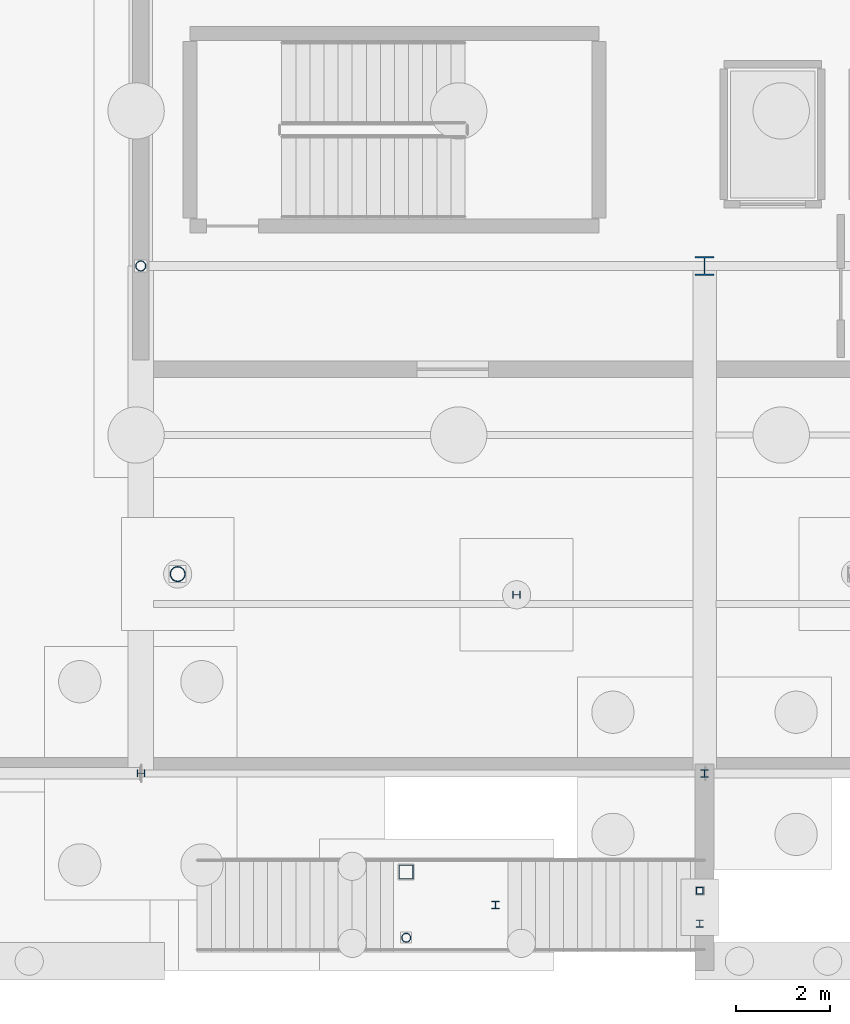
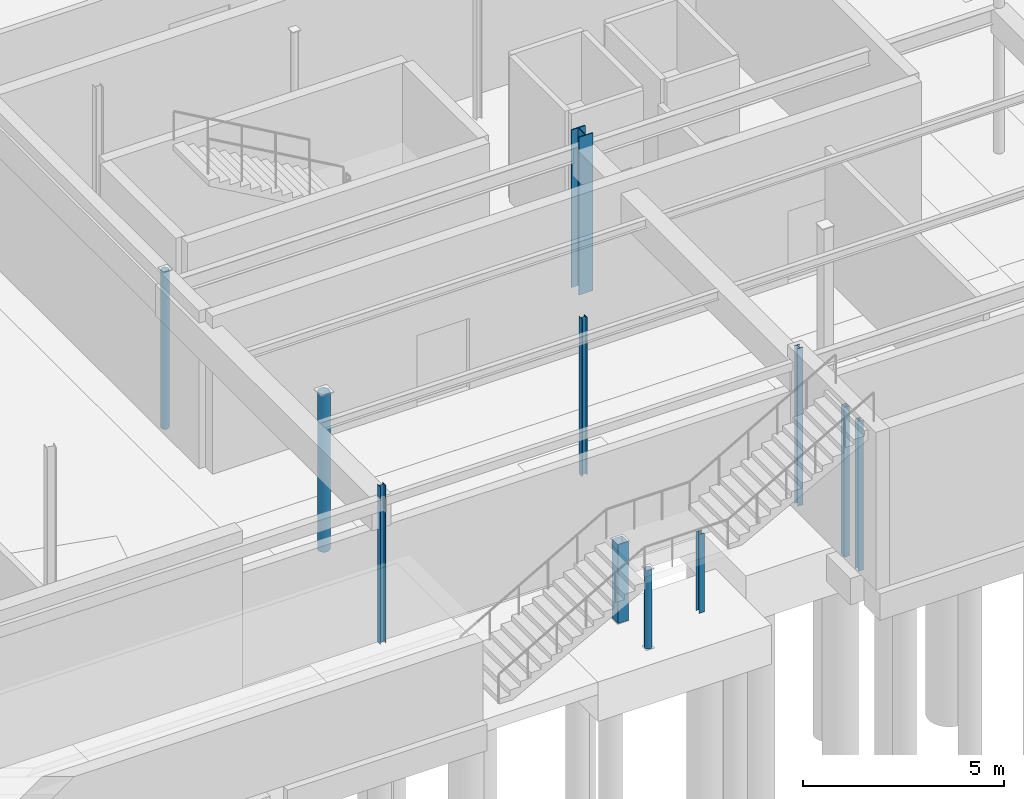
# One storey, part 21 of 136: 11 columns.
"""IFC4 building model written with IfcOpenShell, lengths in metres."""

from ifc_helpers import new_model, si_unit, direction, frame, origin, origin_2d, place, context, subcontext, project, spatial, hollow_rectangle, hollow_circle, i_section, extrude, material, material_profile, profile_set, type_object, element, save


model = new_model("IFC4")

# Units and contexts
model_context = context("Model", 3, precision=1e-05, world=origin(), true_north=direction((0.0, 1.0)))
body_context = subcontext(model_context, "Body", "Model", "MODEL_VIEW")
ifc_project = project(units=[si_unit("LENGTHUNIT", "METRE"), si_unit("AREAUNIT", "SQUARE_METRE"), si_unit("VOLUMEUNIT", "CUBIC_METRE"), si_unit("PLANEANGLEUNIT", "RADIAN"), si_unit("MASSUNIT", "GRAM", prefix="KILO")], contexts=[model_context])

# Site, building, storey
site_placement = place(None, origin())
site = spatial("IfcSite", under=ifc_project, at=site_placement, CompositionType="ELEMENT")
building_placement = place(site_placement, origin())
building = spatial("IfcBuilding", under=site, at=building_placement, Name="Tarnwether General Hospital", CompositionType="ELEMENT")
storey_placement = place(building_placement, frame((0.0, 0.0, -4.800048828125)))
storey = spatial("IfcBuildingStorey", under=building, at=storey_placement, Name="LG", CompositionType="ELEMENT", Elevation=-4.800048828125)

# Columns
ifc_material_1 = material(Name="Steel Grade 350 (350 MPa)", Category="steel")
ifc_material_profile_1 = material_profile(ifc_material_1, i_section(OverallWidth=0.39990234375, OverallDepth=0.39990234375, WebThickness=0.02001953125, FlangeThickness=0.028076171875, at=origin_2d()), Name="400WC270")
ifc_profile_set_1 = profile_set([ifc_material_profile_1], Name="Steel Grade 350 (350 MPa)")
column_type_1 = type_object("IfcColumnType", Name="COL-02", PredefinedType="COLUMN", material=ifc_profile_set_1)
column_1_placement = place(storey_placement, frame((96.0, 10.800048828125, 0.0), z_axis=(0.0, 0.0, 1.0), x_axis=(1.0, 0.0, 0.0)))
element("IfcColumn", 1, at=column_1_placement, inside=storey, type_object=column_type_1, Name="Column COLG-LG-9600_1080", PredefinedType="COLUMN", context=body_context, shape_type="SweptSolid", body=[
    extrude(i_section(OverallWidth=0.39990234375, OverallDepth=0.39990234375, WebThickness=0.02001953125, FlangeThickness=0.028076171875, at=origin_2d()), origin(), (0.0, 0.0, 1.0), 4.800048828125),
])
ifc_material_2 = material(Name="Steel Grade C350L0 (350 MPa)", Category="steel")
ifc_material_profile_2 = material_profile(ifc_material_2, hollow_circle(Radius=0.109619140625, WallThickness=0.010009765625, at=origin_2d()), Name="CHS219.1x10.0")
ifc_profile_set_2 = profile_set([ifc_material_profile_2], Name="Steel Grade C350L0 (350 MPa)")
column_type_2 = type_object("IfcColumnType", Name="COL-13", PredefinedType="COLUMN", material=ifc_profile_set_2)
column_2_placement = place(storey_placement, frame((84.0, 10.800048828125, 0.0), z_axis=(0.0, 0.0, 1.0), x_axis=(0.0, 1.0, 0.0)))
element("IfcColumn", 2, at=column_2_placement, inside=storey, type_object=column_type_2, Name="Column COLG-LG-8400_1080", PredefinedType="COLUMN", context=body_context, shape_type="SweptSolid", body=[
    extrude(hollow_circle(Radius=0.109619140625, WallThickness=0.010009765625, at=origin_2d()), origin(), (0.0, 0.0, 1.0), 4.800048828125),
])
ifc_material_3 = material(Name="Steel Grade C350L0 (350 MPa)", Category="steel")
ifc_material_profile_3 = material_profile(ifc_material_3, hollow_circle(Radius=0.161865234375, WallThickness=0.0126953125, at=origin_2d()), Name="CHS323.9x12.7")
ifc_profile_set_3 = profile_set([ifc_material_profile_3], Name="Steel Grade C350L0 (350 MPa)")
column_type_3 = type_object("IfcColumnType", Name="COL-26", PredefinedType="COLUMN", material=ifc_profile_set_3)
column_3_placement = place(storey_placement, frame((84.784912109375, 4.240966796875, 0.0), z_axis=(0.0, 0.0, 1.0), x_axis=(0.121869343405, 0.992546151641, 0.0)))
element("IfcColumn", 3, at=column_3_placement, inside=storey, type_object=column_type_3, Name="Column COLG-LG-8478_424", PredefinedType="COLUMN", context=body_context, shape_type="SweptSolid", body=[
    extrude(hollow_circle(Radius=0.161865234375, WallThickness=0.0126953125, at=origin_2d()), origin(), (0.0, 0.0, 1.0), 4.800048828125),
])
ifc_material_4 = material(Name="Steel Grade 350 (350 MPa)", Category="steel")
ifc_material_profile_4 = material_profile(ifc_material_4, i_section(OverallWidth=0.154052734375, OverallDepth=0.162109375, WebThickness=0.008056640625, FlangeThickness=0.011474609375, at=origin_2d()), Name="150UC37.2")
ifc_profile_set_4 = profile_set([ifc_material_profile_4], Name="Steel Grade 350 (350 MPa)")
column_type_4 = type_object("IfcColumnType", Name="COL-28", PredefinedType="COLUMN", material=ifc_profile_set_4)
column_4_placement = place(storey_placement, frame((92.0, 3.800048828125, 0.0), z_axis=(0.0, 0.0, 1.0), x_axis=(0.0, 1.0, 0.0)))
element("IfcColumn", 4, at=column_4_placement, inside=storey, type_object=column_type_4, Name="Column COLG-LG-9200_380", PredefinedType="COLUMN", context=body_context, shape_type="SweptSolid", body=[
    extrude(i_section(OverallWidth=0.154052734375, OverallDepth=0.162109375, WebThickness=0.008056640625, FlangeThickness=0.011474609375, at=origin_2d()), origin(), (0.0, 0.0, 1.0), 4.800048828125),
])
ifc_material_5 = material(Name="Steel Grade C350L0 (350 MPa)", Category="steel")
ifc_material_profile_5 = material_profile(ifc_material_5, hollow_circle(Radius=0.096923828125, WallThickness=0.008056640625, at=origin_2d()), Name="CHS193.7x8.0")
ifc_profile_set_5 = profile_set([ifc_material_profile_5], Name="Steel Grade C350L0 (350 MPa)")
column_type_5 = type_object("IfcColumnType", Name="COL-29", PredefinedType="COLUMN", material=ifc_profile_set_5)
column_5_placement = place(storey_placement, frame((89.64990234375, -3.5, 0.0), z_axis=(0.0, 0.0, 1.0), x_axis=(1.0, 0.0, 0.0)))
element("IfcColumn", 5, at=column_5_placement, inside=storey, type_object=column_type_5, Name="Column COLG-LG-8965_-350", PredefinedType="COLUMN", context=body_context, shape_type="SweptSolid", body=[
    extrude(hollow_circle(Radius=0.096923828125, WallThickness=0.008056640625, at=origin_2d()), origin(), (0.0, 0.0, 1.0), 2.400146484375),
])
ifc_material_6 = material(Name="Steel Grade C350L0 (350 MPa)", Category="steel")
ifc_material_profile_6 = material_profile(ifc_material_6, hollow_rectangle(XDim=0.300048828125, YDim=0.300048828125, WallThickness=0.012451171875, at=origin_2d()), Name="SHS300x300x12.5")
ifc_profile_set_6 = profile_set([ifc_material_profile_6], Name="Steel Grade C350L0 (350 MPa)")
column_type_6 = type_object("IfcColumnType", Name="COL-30", PredefinedType="COLUMN", material=ifc_profile_set_6)
column_6_placement = place(storey_placement, frame((89.64990234375, -2.10009765625, 0.0), z_axis=(0.0, 0.0, 1.0), x_axis=(1.0, 0.0, 0.0)))
element("IfcColumn", 6, at=column_6_placement, inside=storey, type_object=column_type_6, Name="Column COLG-LG-8965_-210", PredefinedType="COLUMN", context=body_context, shape_type="SweptSolid", body=[
    extrude(hollow_rectangle(XDim=0.300048828125, YDim=0.300048828125, WallThickness=0.012451171875, at=origin_2d()), origin(), (0.0, 0.0, 1.0), 2.400146484375),
])
ifc_material_7 = material(Name="Steel Grade 350 (350 MPa)", Category="steel")
ifc_material_profile_7 = material_profile(ifc_material_7, i_section(OverallWidth=0.153076171875, OverallDepth=0.157958984375, WebThickness=0.006591796875, FlangeThickness=0.009521484375, at=origin_2d()), Name="150UC30.0")
ifc_profile_set_7 = profile_set([ifc_material_profile_7], Name="Steel Grade 350 (350 MPa)")
column_type_7 = type_object("IfcColumnType", Name="COL-31", PredefinedType="COLUMN", material=ifc_profile_set_7)
for number, where, z_axis, x_axis, name in (
    (7, (84.0, 0.0, 0.0), (0.0, 0.0, 1.0), (0.0, 1.0, 0.0), "Column COLG-LG-8400_0"),
    (8, (96.0, 0.0, 0.0), (0.0, 0.0, 1.0), (1.0, 0.0, 0.0), "Column COLG-LG-9600_0"),
):
    element("IfcColumn", number, at=place(storey_placement, frame(where, z_axis=z_axis, x_axis=x_axis)), inside=storey, type_object=column_type_7, Name=name, PredefinedType="COLUMN", context=body_context, shape_type="SweptSolid", body=[
        extrude(i_section(OverallWidth=0.153076171875, OverallDepth=0.157958984375, WebThickness=0.006591796875, FlangeThickness=0.009521484375, at=origin_2d()), origin(), (0.0, 0.0, 1.0), 4.800048828125),
    ])
column_7_placement = place(storey_placement, frame((91.550048828125, -2.800048828125, 0.0), z_axis=(0.0, 0.0, 1.0), x_axis=(1.0, 0.0, 0.0)))
element("IfcColumn", 9, at=column_7_placement, inside=storey, type_object=column_type_7, Name="Column COLG-LG-9155_-280", PredefinedType="COLUMN", context=body_context, shape_type="SweptSolid", body=[
    extrude(i_section(OverallWidth=0.153076171875, OverallDepth=0.157958984375, WebThickness=0.006591796875, FlangeThickness=0.009521484375, at=origin_2d()), origin(), (0.0, 0.0, 1.0), 2.400146484375),
])
ifc_material_8 = material(Name="Steel Grade 350 (350 MPa)", Category="steel")
ifc_material_profile_8 = material_profile(ifc_material_8, i_section(OverallWidth=0.152099609375, OverallDepth=0.152099609375, WebThickness=0.006103515625, FlangeThickness=0.0068359375, at=origin_2d()), Name="150UC23.4")
ifc_profile_set_8 = profile_set([ifc_material_profile_8], Name="Steel Grade 350 (350 MPa)")
column_type_8 = type_object("IfcColumnType", Name="COL-32", PredefinedType="COLUMN", material=ifc_profile_set_8)
column_8_placement = place(storey_placement, frame((95.89990234375, -3.199951171875, 0.0), z_axis=(0.0, 0.0, 1.0), x_axis=(1.0, 0.0, 0.0)))
element("IfcColumn", 10, at=column_8_placement, inside=storey, type_object=column_type_8, Name="Column COLG-LG-9590_-320", PredefinedType="COLUMN", context=body_context, shape_type="SweptSolid", body=[
    extrude(i_section(OverallWidth=0.152099609375, OverallDepth=0.152099609375, WebThickness=0.006103515625, FlangeThickness=0.0068359375, at=origin_2d()), origin(), (0.0, 0.0, 1.0), 4.56005859375),
])
ifc_material_9 = material(Name="Steel Grade C350L0 (350 MPa)", Category="steel")
ifc_material_profile_9 = material_profile(ifc_material_9, hollow_rectangle(XDim=0.14990234375, YDim=0.14990234375, WallThickness=0.008056640625, at=origin_2d()), Name="SHS150x150x8")
ifc_profile_set_9 = profile_set([ifc_material_profile_9], Name="Steel Grade C350L0 (350 MPa)")
column_type_9 = type_object("IfcColumnType", Name="COL-33", PredefinedType="COLUMN", material=ifc_profile_set_9)
column_9_placement = place(storey_placement, frame((95.89990234375, -2.5, 0.0), z_axis=(0.0, 0.0, 1.0), x_axis=(1.0, 0.0, 0.0)))
element("IfcColumn", 11, at=column_9_placement, inside=storey, type_object=column_type_9, Name="Column COLG-LG-9590_-250", PredefinedType="COLUMN", context=body_context, shape_type="SweptSolid", body=[
    extrude(hollow_rectangle(XDim=0.14990234375, YDim=0.14990234375, WallThickness=0.008056640625, at=origin_2d()), origin(), (0.0, 0.0, 1.0), 4.56005859375),
])

save(model, "model.ifc")
